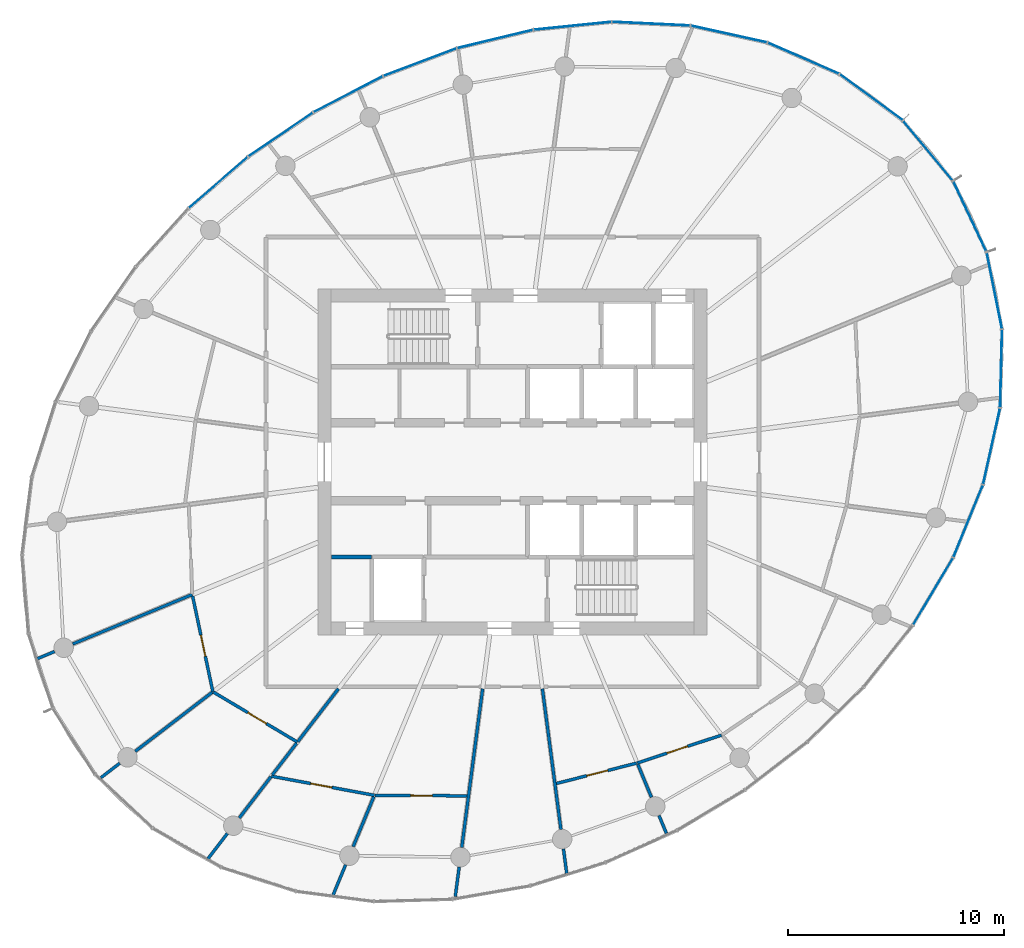
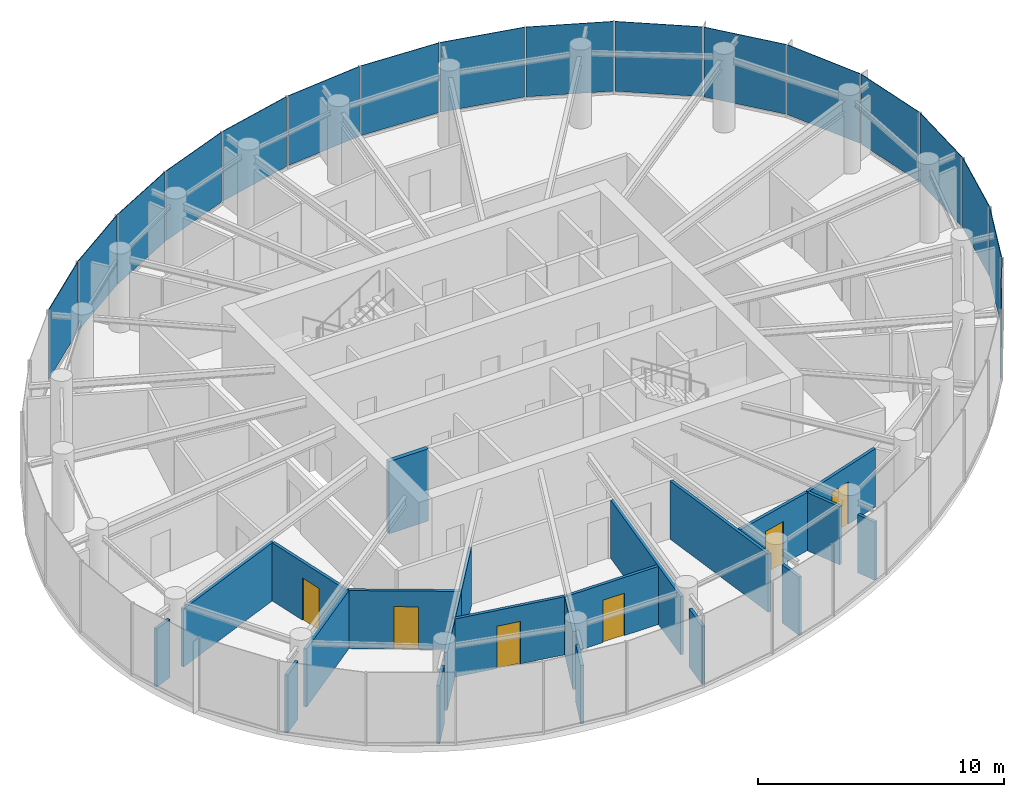
# One storey, part 9 of 15: 23 walls, 17 plates, 6 doors, 6 openings, 3 elements without a shape of their own.
"""IFC4 building model written with IfcOpenShell, lengths in metres."""

from ifc_helpers import new_model, si_unit, direction, frame, frame_2d, origin, origin_2d, place, context, subcontext, project, spatial, rectangle, extrude, source, transform, mapped, material, layer, layer_set, type_object, element, fill, aggregate, save


model = new_model("IFC4")

# Units and contexts
model_context = context("Model", 3, precision=1e-05, world=origin(), true_north=direction((0.0, 1.0)))
body_context = subcontext(model_context, "Body", "Model", "MODEL_VIEW")
ifc_project = project(units=[si_unit("LENGTHUNIT", "METRE"), si_unit("AREAUNIT", "SQUARE_METRE"), si_unit("VOLUMEUNIT", "CUBIC_METRE"), si_unit("PLANEANGLEUNIT", "RADIAN"), si_unit("MASSUNIT", "GRAM", prefix="KILO")], contexts=[model_context])

# Site, building, storey
site_placement = place(None, origin())
site = spatial("IfcSite", under=ifc_project, at=site_placement, CompositionType="ELEMENT")
building_placement = place(site_placement, origin())
building = spatial("IfcBuilding", under=site, at=building_placement, Name="Spindrift Exchange Tower", CompositionType="ELEMENT")
storey_placement = place(building_placement, frame((0.0, 0.0, 195.5)))
storey = spatial("IfcBuildingStorey", under=building, at=storey_placement, Name="L47", CompositionType="ELEMENT", Elevation=195.5)

# Curtain wall, plates
ifc_material_1 = material(Name="Fritted laminated glass with bronze frame", Category="glass")
ifc_layer_1 = layer(ifc_material_1, 0.169921875)
ifc_layer_set_1 = layer_set([ifc_layer_1], Name="ZONE 4 BRONZE FRITTED WALL")
curtain_wall_type = type_object("IfcCurtainWallType", Name="ZONE 4 BRONZE FRITTED WALL", PredefinedType="NOTDEFINED", material=ifc_layer_set_1)
curtain_wall_1_placement = place(storey_placement, origin())
curtain_wall_1 = element("IfcCurtainWall", 1, at=curtain_wall_1_placement, inside=storey, type_object=curtain_wall_type, Name="L47 Zone 4 Bronze Fritted Wall run 2", PredefinedType="NOTDEFINED")
ifc_material_2 = material(Name="Bronze fritted laminated glass, open frit", Category="glass")
ifc_layer_2 = layer(ifc_material_2, 0.030029296875)
ifc_layer_set_2 = layer_set([ifc_layer_2], Name="ZONE 4 BRONZE FRITTED WALL PANEL OPEN FRIT 600")
plate_type_1 = type_object("IfcPlateType", Name="ZONE 4 BRONZE FRITTED WALL PANEL OPEN FRIT 600", PredefinedType="CURTAIN_PANEL", material=ifc_layer_set_2)
shared_shape_1 = source(origin(), body_context, "Body", "SweptSolid", [
    extrude(rectangle(XDim=3.577392578125, YDim=0.030029296875, at=origin_2d()), origin(), (0.0, 0.0, 1.0), 3.455078125),
])
plate_1_placement = place(storey_placement, frame((51.19482421875, 67.547119140625, 0.125), z_axis=(0.0, 0.0, 1.0), x_axis=(-0.972197717403, -0.234161479063, 0.0)))
plate_1 = element("IfcPlate", 2, at=plate_1_placement, type_object=plate_type_1, Name="L47 panel CW-4.7", PredefinedType="CURTAIN_PANEL", context=body_context, shape_type="MappedRepresentation", body=[
    mapped(shared_shape_1, transform((0.0, 0.0, 0.0), scale=1.0)),
])
ifc_layer_3 = layer(ifc_material_2, 0.030029296875)
ifc_layer_set_3 = layer_set([ifc_layer_3], Name="ZONE 4 BRONZE FRITTED WALL PANEL OPEN FRIT 480")
plate_type_2 = type_object("IfcPlateType", Name="ZONE 4 BRONZE FRITTED WALL PANEL OPEN FRIT 480", PredefinedType="CURTAIN_PANEL", material=ifc_layer_set_3)
shared_shape_2 = source(origin(), body_context, "Body", "SweptSolid", [
    extrude(rectangle(XDim=3.577880859375, YDim=0.030029296875, at=origin_2d()), origin(), (0.0, 0.0, 1.0), 3.455078125),
])
plate_2_placement = place(storey_placement, frame((44.4013671875, 64.99169921875, 0.125), z_axis=(0.0, 0.0, 1.0), x_axis=(-0.886938290933, -0.461887938874, 0.0)))
plate_2 = element("IfcPlate", 3, at=plate_2_placement, type_object=plate_type_2, Name="L47 panel CW-4.9", PredefinedType="CURTAIN_PANEL", context=body_context, shape_type="MappedRepresentation", body=[
    mapped(shared_shape_2, transform((0.0, 0.0, 0.0), scale=1.0)),
])
shared_shape_3 = source(origin(), body_context, "Body", "SweptSolid", [
    extrude(rectangle(XDim=3.577880859375, YDim=0.030029296875, at=origin_2d()), origin(), (0.0, 0.0, 1.0), 3.455078125),
])
plate_3_placement = place(storey_placement, frame((41.279052734375, 63.127197265625, 0.125), z_axis=(0.0, 0.0, 1.0), x_axis=(-0.82729829875, -0.56176287247, 0.0)))
plate_3 = element("IfcPlate", 4, at=plate_3_placement, type_object=plate_type_1, Name="L47 panel CW-4.10", PredefinedType="CURTAIN_PANEL", context=body_context, shape_type="MappedRepresentation", body=[
    mapped(shared_shape_3, transform((0.0, 0.0, 0.0), scale=1.0)),
])
shared_shape_4 = source(origin(), body_context, "Body", "SweptSolid", [
    extrude(rectangle(XDim=3.57763671875, YDim=0.030029296875, at=origin_2d()), origin(), (0.0, 0.0, 1.0), 3.455078125),
])
plate_4_placement = place(storey_placement, frame((38.3955078125, 60.91162109375, 0.125), z_axis=(0.0, 0.0, 1.0), x_axis=(-0.75588775028, -0.654701236425, 0.0)))
plate_4 = element("IfcPlate", 5, at=plate_4_placement, type_object=plate_type_2, Name="L47 panel CW-4.11", PredefinedType="CURTAIN_PANEL", context=body_context, shape_type="MappedRepresentation", body=[
    mapped(shared_shape_4, transform((0.0, 0.0, 0.0), scale=1.0)),
])

# Curtain wall, plate
curtain_wall_2_placement = place(storey_placement, origin())
curtain_wall_2 = element("IfcCurtainWall", 6, at=curtain_wall_2_placement, inside=storey, type_object=curtain_wall_type, Name="L47 Zone 4 Bronze Fritted Wall run 6", PredefinedType="NOTDEFINED")
shared_shape_5 = source(origin(), body_context, "Body", "SweptSolid", [
    extrude(rectangle(XDim=3.5703125, YDim=0.030029296875, at=origin_2d()), origin(), (0.0, 0.0, 1.0), 3.455078125),
])
plate_5_placement = place(storey_placement, frame((73.149169921875, 59.342529296875, 0.125), z_axis=(0.0, 0.0, 1.0), x_axis=(-0.426707649208, 0.904389618532, 0.0)))
plate_5 = element("IfcPlate", 7, at=plate_5_placement, type_object=plate_type_1, Name="L47 panel CW-4.37", PredefinedType="CURTAIN_PANEL", context=body_context, shape_type="MappedRepresentation", body=[
    mapped(shared_shape_5, transform((0.0, 0.0, 0.0), scale=1.0)),
])

# Curtain wall, plates
curtain_wall_3_placement = place(storey_placement, origin())
curtain_wall_3 = element("IfcCurtainWall", 8, at=curtain_wall_3_placement, inside=storey, type_object=curtain_wall_type, Name="L47 Zone 4 Bronze Fritted Wall run 1", PredefinedType="NOTDEFINED")
ifc_layer_4 = layer(ifc_material_2, 0.030029296875)
ifc_layer_set_4 = layer_set([ifc_layer_4], Name="ZONE 4 BRONZE FRITTED WALL PANEL OPEN FRIT 360")
plate_type_3 = type_object("IfcPlateType", Name="ZONE 4 BRONZE FRITTED WALL PANEL OPEN FRIT 360", PredefinedType="CURTAIN_PANEL", material=ifc_layer_set_4)
shared_shape_6 = source(origin(), body_context, "Body", "SweptSolid", [
    extrude(rectangle(XDim=3.574951171875, YDim=0.030029296875, at=origin_2d()), origin(), (0.0, 0.0, 1.0), 3.455078125),
])
plate_6_placement = place(storey_placement, frame((62.002685546875, 67.776611328125, 0.125), z_axis=(0.0, 0.0, 1.0), x_axis=(-0.976534156437, 0.215362581041, 0.0)))
plate_6 = element("IfcPlate", 9, at=plate_6_placement, type_object=plate_type_3, Name="L47 panel CW-4.4", PredefinedType="CURTAIN_PANEL", context=body_context, shape_type="MappedRepresentation", body=[
    mapped(shared_shape_6, transform((0.0, 0.0, 0.0), scale=1.0)),
])
shared_shape_7 = source(origin(), body_context, "Body", "SweptSolid", [
    extrude(rectangle(XDim=3.576171875, YDim=0.030029296875, at=origin_2d()), origin(), (0.0, 0.0, 1.0), 3.455078125),
])
plate_7_placement = place(storey_placement, frame((58.406982421875, 68.255615234375, 0.125), z_axis=(0.0, 0.0, 1.0), x_axis=(-0.998856160927, 0.047815999194, 0.0)))
plate_7 = element("IfcPlate", 10, at=plate_7_placement, type_object=plate_type_1, Name="L47 panel CW-4.5", PredefinedType="CURTAIN_PANEL", context=body_context, shape_type="MappedRepresentation", body=[
    mapped(shared_shape_7, transform((0.0, 0.0, 0.0), scale=1.0)),
])

# Plate
shared_shape_8 = source(origin(), body_context, "Body", "SweptSolid", [
    extrude(rectangle(XDim=3.57763671875, YDim=0.030029296875, at=origin_2d()), origin(), (0.0, 0.0, 1.0), 3.455078125),
])
plate_8_placement = place(storey_placement, frame((47.720703125, 66.476806640625, 0.125), z_axis=(0.0, 0.0, 1.0), x_axis=(-0.935461303752, -0.353429128938, 0.0)))
plate_8 = element("IfcPlate", 11, at=plate_8_placement, type_object=plate_type_1, Name="L47 panel CW-4.8", PredefinedType="CURTAIN_PANEL", context=body_context, shape_type="MappedRepresentation", body=[
    mapped(shared_shape_8, transform((0.0, 0.0, 0.0), scale=1.0)),
])

aggregate(curtain_wall_1, [plate_1, plate_8, plate_2, plate_3, plate_4])

shared_shape_9 = source(origin(), body_context, "Body", "SweptSolid", [
    extrude(rectangle(XDim=3.576904296875, YDim=0.030029296875, at=origin_2d()), origin(), (0.0, 0.0, 1.0), 3.455078125),
])
plate_9_placement = place(storey_placement, frame((71.44580078125, 42.007080078125, 0.125), z_axis=(0.0, 0.0, 1.0), x_axis=(0.511909432756, 0.859039424389, 0.0)))
plate_9 = element("IfcPlate", 12, at=plate_9_placement, type_object=plate_type_2, Name="L47 panel CW-4.32", PredefinedType="CURTAIN_PANEL", context=body_context, shape_type="MappedRepresentation", body=[
    mapped(shared_shape_9, transform((0.0, 0.0, 0.0), scale=1.0)),
])

shared_shape_10 = source(origin(), body_context, "Body", "SweptSolid", [
    extrude(rectangle(XDim=3.5703125, YDim=0.030029296875, at=origin_2d()), origin(), (0.0, 0.0, 1.0), 3.455078125),
])
plate_10_placement = place(storey_placement, frame((71.210693359375, 62.383544921875, 0.125), z_axis=(0.0, 0.0, 1.0), x_axis=(-0.639711363915, 0.768615229408, 0.0)))
plate_10 = element("IfcPlate", 13, at=plate_10_placement, type_object=plate_type_3, Name="L47 panel CW-4.1", PredefinedType="CURTAIN_PANEL", context=body_context, shape_type="MappedRepresentation", body=[
    mapped(shared_shape_10, transform((0.0, 0.0, 0.0), scale=1.0)),
])

shared_shape_11 = source(origin(), body_context, "Body", "SweptSolid", [
    extrude(rectangle(XDim=3.571533203125, YDim=0.030029296875, at=origin_2d()), origin(), (0.0, 0.0, 1.0), 3.455078125),
])
plate_11_placement = place(storey_placement, frame((68.58154296875, 64.85546875, 0.125), z_axis=(0.0, 0.0, 1.0), x_axis=(-0.806544699623, 0.591173111289, 0.0)))
plate_11 = element("IfcPlate", 14, at=plate_11_placement, type_object=plate_type_1, Name="L47 panel CW-4.2", PredefinedType="CURTAIN_PANEL", context=body_context, shape_type="MappedRepresentation", body=[
    mapped(shared_shape_11, transform((0.0, 0.0, 0.0), scale=1.0)),
])

plate_12_placement = place(storey_placement, frame((74.280029296875, 55.91552734375, 0.125), z_axis=(0.0, 0.0, 1.0), x_axis=(-0.195401858538, 0.980723260497, 0.0)))
plate_12 = element("IfcPlate", 15, at=plate_12_placement, type_object=plate_type_1, Name="L47 panel CW-4.36", PredefinedType="CURTAIN_PANEL", context=body_context, shape_type="MappedRepresentation", body=[
    mapped(shared_shape_11, transform((0.0, 0.0, 0.0), scale=1.0)),
])

shared_shape_12 = source(origin(), body_context, "Body", "SweptSolid", [
    extrude(rectangle(XDim=3.5732421875, YDim=0.030029296875, at=origin_2d()), origin(), (0.0, 0.0, 1.0), 3.455078125),
])
plate_13_placement = place(storey_placement, frame((65.447509765625, 66.657470703125, 0.125), z_axis=(0.0, 0.0, 1.0), x_axis=(-0.916651769043, 0.399686795267, 0.0)))
plate_13 = element("IfcPlate", 16, at=plate_13_placement, type_object=plate_type_1, Name="L47 panel CW-4.3", PredefinedType="CURTAIN_PANEL", context=body_context, shape_type="MappedRepresentation", body=[
    mapped(shared_shape_12, transform((0.0, 0.0, 0.0), scale=1.0)),
])

plate_14_placement = place(storey_placement, frame((74.590576171875, 52.313720703125, 0.125), z_axis=(0.0, 0.0, 1.0), x_axis=(0.024653768199, 0.999696049664, 0.0)))
plate_14 = element("IfcPlate", 17, at=plate_14_placement, type_object=plate_type_1, Name="L47 panel CW-4.35", PredefinedType="CURTAIN_PANEL", context=body_context, shape_type="MappedRepresentation", body=[
    mapped(shared_shape_12, transform((0.0, 0.0, 0.0), scale=1.0)),
])

shared_shape_13 = source(origin(), body_context, "Body", "SweptSolid", [
    extrude(rectangle(XDim=3.576904296875, YDim=0.030029296875, at=origin_2d()), origin(), (0.0, 0.0, 1.0), 3.455078125),
])
plate_15_placement = place(storey_placement, frame((54.77685546875, 68.157958984375, 0.125), z_axis=(0.0, 0.0, 1.0), x_axis=(-0.994848027314, -0.101377524874, 0.0)))
plate_15 = element("IfcPlate", 18, at=plate_15_placement, type_object=plate_type_3, Name="L47 panel CW-4.6", PredefinedType="CURTAIN_PANEL", context=body_context, shape_type="MappedRepresentation", body=[
    mapped(shared_shape_13, transform((0.0, 0.0, 0.0), scale=1.0)),
])

aggregate(curtain_wall_3, [plate_10, plate_11, plate_13, plate_6, plate_7, plate_15])

shared_shape_14 = source(origin(), body_context, "Body", "SweptSolid", [
    extrude(rectangle(XDim=3.575927734375, YDim=0.030029296875, at=origin_2d()), origin(), (0.0, 0.0, 1.0), 3.455078125),
])
plate_16_placement = place(storey_placement, frame((73.06689453125, 45.256591796875, 0.125), z_axis=(0.0, 0.0, 1.0), x_axis=(0.37832713531, 0.925671960625, 0.0)))
plate_16 = element("IfcPlate", 19, at=plate_16_placement, type_object=plate_type_1, Name="L47 panel CW-4.33", PredefinedType="CURTAIN_PANEL", context=body_context, shape_type="MappedRepresentation", body=[
    mapped(shared_shape_14, transform((0.0, 0.0, 0.0), scale=1.0)),
])

shared_shape_15 = source(origin(), body_context, "Body", "SweptSolid", [
    extrude(rectangle(XDim=3.574951171875, YDim=0.030029296875, at=origin_2d()), origin(), (0.0, 0.0, 1.0), 3.455078125),
])
plate_17_placement = place(storey_placement, frame((74.150634765625, 48.718505859375, 0.125), z_axis=(0.0, 0.0, 1.0), x_axis=(0.217035958811, 0.976163609536, 0.0)))
plate_17 = element("IfcPlate", 20, at=plate_17_placement, type_object=plate_type_1, Name="L47 panel CW-4.34", PredefinedType="CURTAIN_PANEL", context=body_context, shape_type="MappedRepresentation", body=[
    mapped(shared_shape_15, transform((0.0, 0.0, 0.0), scale=1.0)),
])

aggregate(curtain_wall_2, [plate_9, plate_16, plate_17, plate_14, plate_12, plate_5])

# Walls
ifc_material_3 = material(Name="Fire-rated plasterboard partition", Category="gypsum")
ifc_layer_5 = layer(ifc_material_3, 0.139892578125)
ifc_layer_set_5 = layer_set([ifc_layer_5], Name="W-PART-140")
wall_type_1 = type_object("IfcWallType", Name="W-PART-140", PredefinedType="PARTITIONING", material=ifc_layer_set_5)
wall_1_placement = place(storey_placement, frame((49.65283203125, 30.17236328125, 0.0), z_axis=(0.0, 0.0, 1.0), x_axis=(0.130532164535, 0.991444075085, 0.0)))
element("IfcWall", 21, at=wall_1_placement, inside=storey, type_object=wall_type_1, Name="L47 Partition wall 33", PredefinedType="PARTITIONING", context=body_context, shape_type="SweptSolid", body=[
    extrude(rectangle(XDim=7.40087890625, YDim=0.139892578125, at=frame_2d((3.700439453125, 0.0))), origin(), (0.0, 0.0, 1.0), 2.8798828125),
])
wall_2_placement = place(storey_placement, frame((53.381103515625, 37.510009765625, 0.0), z_axis=(0.0, 0.0, 1.0), x_axis=(0.130519996386, -0.991445677051, 0.0)))
element("IfcWall", 22, at=wall_2_placement, inside=storey, type_object=wall_type_1, Name="L47 Partition wall 34", PredefinedType="PARTITIONING", context=body_context, shape_type="SweptSolid", body=[
    extrude(rectangle(XDim=6.55810546875, YDim=0.139892578125, at=frame_2d((3.279052734375, 0.0))), origin(), (0.0, 0.0, 1.0), 2.8798828125),
])
wall_3_placement = place(storey_placement, frame((37.194091796875, 41.8671875, 0.0), z_axis=(0.0, 0.0, 1.0), x_axis=(-0.923879050947, -0.382684594961, 0.0)))
element("IfcWall", 23, at=wall_3_placement, inside=storey, type_object=wall_type_1, Name="L47 Partition wall 35", PredefinedType="PARTITIONING", context=body_context, shape_type="SweptSolid", body=[
    extrude(rectangle(XDim=5.982177734375, YDim=0.139892578125, at=frame_2d((2.9912109375, 0.0))), origin(), (0.0, 0.0, 1.0), 2.8798828125),
])

# Wall, opening, door
wall_4_placement = place(storey_placement, frame((45.614501953125, 32.583740234375, 0.0), z_axis=(0.0, 0.0, 1.0), x_axis=(-0.983287014194, 0.182062208375, 0.0)))
wall_4 = element("IfcWall", 24, at=wall_4_placement, inside=storey, type_object=wall_type_1, Name="L47 Partition wall 38", PredefinedType="PARTITIONING", context=body_context, shape_type="SweptSolid", body=[
    extrude(rectangle(XDim=4.84765625, YDim=0.139892578125, at=frame_2d((2.423828125, 0.0))), origin(), (0.0, 0.0, 1.0), 2.8798828125),
])
opening_1_placement = place(wall_4_placement, frame((1.997314453125, 0.0, 0.0)))
opening_1 = element("IfcOpeningElement", 25, at=opening_1_placement, cuts=wall_4, Name="Opening L47-D27", PredefinedType="OPENING", context=body_context, shape_type="SweptSolid", body=[
    extrude(rectangle(XDim=1.0, YDim=2.10009765625, at=frame_2d((0.5, 1.050048828125))), frame((0.0, 0.079833984375, 0.0), z_axis=(0.0, -1.0, 0.0), x_axis=(1.0, 0.0, 0.0)), (0.0, 0.0, 1.0), 0.159912109375),
])
ifc_material_4 = material(Name="Timber-core fire door", Category="wood")
door_type = type_object("IfcDoorType", Name="DR-ROOM-1000", OperationType="NOTDEFINED", PredefinedType="DOOR", material=ifc_material_4)
shared_shape_16 = source(origin(), body_context, "Body", "SweptSolid", [
    extrude(rectangle(XDim=1.0, YDim=2.10009765625, at=frame_2d((0.5, 1.050048828125))), frame((0.0, 0.02490234375, 0.0), z_axis=(0.0, -1.0, 0.0), x_axis=(1.0, 0.0, 0.0)), (0.0, 0.0, 1.0), 0.050048828125),
])
door_1_placement = place(opening_1_placement, origin())
door_1 = element("IfcDoor", 26, at=door_1_placement, inside=storey, type_object=door_type, Name="L47 Door 27", OperationType="SINGLE_SWING_RIGHT", OverallHeight=2.10009765625, OverallWidth=1.0, PredefinedType="DOOR", context=body_context, shape_type="MappedRepresentation", body=[
    mapped(shared_shape_16, transform((0.0, 0.0, 0.0), scale=1.0)),
])
fill(opening_1, door_1)

wall_5_placement = place(storey_placement, frame((38.14599609375, 37.369384765625, 0.0), z_axis=(0.0, 0.0, 1.0), x_axis=(-0.207067802177, 0.978326594396, 0.0)))
wall_5 = element("IfcWall", 27, at=wall_5_placement, inside=storey, type_object=wall_type_1, Name="L47 Partition wall 39", PredefinedType="PARTITIONING", context=body_context, shape_type="SweptSolid", body=[
    extrude(rectangle(XDim=4.5263671875, YDim=0.139892578125, at=frame_2d((2.26318359375, 0.0))), origin(), (0.0, 0.0, 1.0), 2.8798828125),
])
opening_2_placement = place(wall_5_placement, frame((1.67626953125, 0.0, 0.0)))
opening_2 = element("IfcOpeningElement", 28, at=opening_2_placement, cuts=wall_5, Name="Opening L47-D23", PredefinedType="OPENING", context=body_context, shape_type="SweptSolid", body=[
    extrude(rectangle(XDim=1.0, YDim=2.10009765625, at=frame_2d((0.5, 1.050048828125))), frame((0.0, 0.079833984375, 0.0), z_axis=(0.0, -1.0, 0.0), x_axis=(1.0, 0.0, 0.0)), (0.0, 0.0, 1.0), 0.159912109375),
])
door_2_placement = place(opening_2_placement, origin())
door_2 = element("IfcDoor", 29, at=door_2_placement, inside=storey, type_object=door_type, Name="L47 Door 23", OperationType="SINGLE_SWING_RIGHT", OverallHeight=2.10009765625, OverallWidth=1.0, PredefinedType="DOOR", context=body_context, shape_type="MappedRepresentation", body=[
    mapped(shared_shape_16, transform((0.0, 0.0, 0.0), scale=1.0)),
])
fill(opening_2, door_2)

wall_6_placement = place(storey_placement, frame((42.057861328125, 35.043212890625, 0.0), z_axis=(0.0, 0.0, 1.0), x_axis=(-0.859530118144, 0.511085096635, 0.0)))
wall_6 = element("IfcWall", 30, at=wall_6_placement, inside=storey, type_object=wall_type_1, Name="L47 Partition wall 41", PredefinedType="PARTITIONING", context=body_context, shape_type="SweptSolid", body=[
    extrude(rectangle(XDim=4.521240234375, YDim=0.139892578125, at=frame_2d((2.2607421875, 0.0))), origin(), (0.0, 0.0, 1.0), 2.8798828125),
])
opening_3_placement = place(wall_6_placement, frame((1.67138671875, 0.0, 0.0)))
opening_3 = element("IfcOpeningElement", 31, at=opening_3_placement, cuts=wall_6, Name="Opening L47-D24", PredefinedType="OPENING", context=body_context, shape_type="SweptSolid", body=[
    extrude(rectangle(XDim=1.0, YDim=2.10009765625, at=frame_2d((0.5, 1.050048828125))), frame((0.0, 0.079833984375, 0.0), z_axis=(0.0, -1.0, 0.0), x_axis=(1.0, 0.0, 0.0)), (0.0, 0.0, 1.0), 0.159912109375),
])
door_3_placement = place(opening_3_placement, origin())
door_3 = element("IfcDoor", 32, at=door_3_placement, inside=storey, type_object=door_type, Name="L47 Door 24", OperationType="SINGLE_SWING_LEFT", OverallHeight=2.10009765625, OverallWidth=1.0, PredefinedType="DOOR", context=body_context, shape_type="MappedRepresentation", body=[
    mapped(shared_shape_16, transform((0.0, 0.0, 0.0), scale=1.0)),
])
fill(opening_3, door_3)

# Wall
wall_7_placement = place(storey_placement, frame((38.1220703125, 37.35107421875, 0.0), z_axis=(0.0, 0.0, 1.0), x_axis=(-0.793350839002, -0.608764688738, 0.0)))
element("IfcWall", 33, at=wall_7_placement, inside=storey, type_object=wall_type_1, Name="L47 Partition wall 42", PredefinedType="PARTITIONING", context=body_context, shape_type="SweptSolid", body=[
    extrude(rectangle(XDim=4.49169921875, YDim=0.139892578125, at=frame_2d((2.245849609375, 0.0))), origin(), (0.0, 0.0, 1.0), 2.8798828125),
])

# Wall, opening, door
wall_8_placement = place(storey_placement, frame((49.896484375, 32.5576171875, 0.0), z_axis=(0.0, 0.0, 1.0), x_axis=(-0.999981480768, 0.006085895215, 0.0)))
wall_8 = element("IfcWall", 34, at=wall_8_placement, inside=storey, type_object=wall_type_1, Name="L47 Partition wall 44", PredefinedType="PARTITIONING", context=body_context, shape_type="SweptSolid", body=[
    extrude(rectangle(XDim=4.252197265625, YDim=0.139892578125, at=frame_2d((2.1259765625, 0.0))), origin(), (0.0, 0.0, 1.0), 2.8798828125),
])
opening_4_placement = place(wall_8_placement, frame((1.60205078125, 0.0, 0.0)))
opening_4 = element("IfcOpeningElement", 35, at=opening_4_placement, cuts=wall_8, Name="Opening L47-D28", PredefinedType="OPENING", context=body_context, shape_type="SweptSolid", body=[
    extrude(rectangle(XDim=1.0, YDim=2.10009765625, at=frame_2d((0.5, 1.050048828125))), frame((0.0, 0.079833984375, 0.0), z_axis=(0.0, -1.0, 0.0), x_axis=(1.0, 0.0, 0.0)), (0.0, 0.0, 1.0), 0.159912109375),
])
door_4_placement = place(opening_4_placement, origin())
door_4 = element("IfcDoor", 36, at=door_4_placement, inside=storey, type_object=door_type, Name="L47 Door 28", OperationType="SINGLE_SWING_LEFT", OverallHeight=2.10009765625, OverallWidth=1.0, PredefinedType="DOOR", context=body_context, shape_type="MappedRepresentation", body=[
    mapped(shared_shape_16, transform((0.0, 0.0, 0.0), scale=1.0)),
])
fill(opening_4, door_4)

wall_9_placement = place(storey_placement, frame((61.6591796875, 35.365234375, 0.0), z_axis=(0.0, 0.0, 1.0), x_axis=(-0.949342227839, -0.314244068267, 0.0)))
wall_9 = element("IfcWall", 37, at=wall_9_placement, inside=storey, type_object=wall_type_1, Name="L47 Partition wall 49", PredefinedType="PARTITIONING", context=body_context, shape_type="SweptSolid", body=[
    extrude(rectangle(XDim=4.099853515625, YDim=0.139892578125, at=frame_2d((2.0498046875, 0.0))), origin(), (0.0, 0.0, 1.0), 2.8798828125),
])
opening_5_placement = place(wall_9_placement, frame((1.64990234375, 0.0, 0.0)))
opening_5 = element("IfcOpeningElement", 38, at=opening_5_placement, cuts=wall_9, Name="Opening L47-D32", PredefinedType="OPENING", context=body_context, shape_type="SweptSolid", body=[
    extrude(rectangle(XDim=1.0, YDim=2.10009765625, at=frame_2d((0.5, 1.050048828125))), frame((0.0, 0.079833984375, 0.0), z_axis=(0.0, -1.0, 0.0), x_axis=(1.0, 0.0, 0.0)), (0.0, 0.0, 1.0), 0.159912109375),
])
door_5_placement = place(opening_5_placement, origin())
door_5 = element("IfcDoor", 39, at=door_5_placement, inside=storey, type_object=door_type, Name="L47 Door 32", OperationType="SINGLE_SWING_LEFT", OverallHeight=2.10009765625, OverallWidth=1.0, PredefinedType="DOOR", context=body_context, shape_type="MappedRepresentation", body=[
    mapped(shared_shape_16, transform((0.0, 0.0, 0.0), scale=1.0)),
])
fill(opening_5, door_5)

wall_10_placement = place(storey_placement, frame((57.738037109375, 34.069580078125, 0.0), z_axis=(0.0, 0.0, 1.0), x_axis=(-0.969463236933, -0.245236686152, 0.0)))
wall_10 = element("IfcWall", 40, at=wall_10_placement, inside=storey, type_object=wall_type_1, Name="L47 Partition wall 54", PredefinedType="PARTITIONING", context=body_context, shape_type="SweptSolid", body=[
    extrude(rectangle(XDim=3.826904296875, YDim=0.139892578125, at=frame_2d((1.91357421875, 0.0))), origin(), (0.0, 0.0, 1.0), 2.8798828125),
])
opening_6_placement = place(wall_10_placement, frame((1.376708984375, 0.0, 0.0)))
opening_6 = element("IfcOpeningElement", 41, at=opening_6_placement, cuts=wall_10, Name="Opening L47-D31", PredefinedType="OPENING", context=body_context, shape_type="SweptSolid", body=[
    extrude(rectangle(XDim=1.0, YDim=2.10009765625, at=frame_2d((0.5, 1.050048828125))), frame((0.0, 0.079833984375, 0.0), z_axis=(0.0, -1.0, 0.0), x_axis=(1.0, 0.0, 0.0)), (0.0, 0.0, 1.0), 0.159912109375),
])
door_6_placement = place(opening_6_placement, origin())
door_6 = element("IfcDoor", 42, at=door_6_placement, inside=storey, type_object=door_type, Name="L47 Door 31", OperationType="SINGLE_SWING_RIGHT", OverallHeight=2.10009765625, OverallWidth=1.0, PredefinedType="DOOR", context=body_context, shape_type="MappedRepresentation", body=[
    mapped(shared_shape_16, transform((0.0, 0.0, 0.0), scale=1.0)),
])
fill(opening_6, door_6)

# Walls
wall_11_placement = place(storey_placement, frame((43.95068359375, 37.510009765625, 0.0), z_axis=(0.0, 0.0, 1.0), x_axis=(-0.608729433535, -0.793377890256, 0.0)))
element("IfcWall", 43, at=wall_11_placement, inside=storey, type_object=wall_type_1, Name="L47 Partition wall 63", PredefinedType="PARTITIONING", context=body_context, shape_type="SweptSolid", body=[
    extrude(rectangle(XDim=3.079345703125, YDim=0.139892578125, at=frame_2d((1.53955078125, 0.0))), origin(), (0.0, 0.0, 1.0), 2.8798828125),
])
wall_12_placement = place(storey_placement, frame((45.5869140625, 32.517578125, 0.0), z_axis=(0.0, 0.0, 1.0), x_axis=(-0.382691448247, -0.923876212184, 0.0)))
element("IfcWall", 44, at=wall_12_placement, inside=storey, type_object=wall_type_1, Name="L47 Partition wall 65", PredefinedType="PARTITIONING", context=body_context, shape_type="SweptSolid", body=[
    extrude(rectangle(XDim=2.4970703125, YDim=0.139892578125, at=frame_2d((1.24853515625, 0.0))), origin(), (0.0, 0.0, 1.0), 2.8798828125),
])
wall_13_placement = place(storey_placement, frame((40.829833984375, 33.442626953125, 0.0), z_axis=(0.0, 0.0, 1.0), x_axis=(-0.608796464689, -0.793326455239, 0.0)))
element("IfcWall", 45, at=wall_13_placement, inside=storey, type_object=wall_type_1, Name="L47 Partition wall 68", PredefinedType="PARTITIONING", context=body_context, shape_type="SweptSolid", body=[
    extrude(rectangle(XDim=2.4013671875, YDim=0.139892578125, at=frame_2d((1.20068359375, 0.0))), origin(), (0.0, 0.0, 1.0), 2.8798828125),
])
wall_14_placement = place(storey_placement, frame((42.014892578125, 34.9873046875, 0.0), z_axis=(0.0, 0.0, 1.0), x_axis=(-0.608760473936, -0.793354073144, 0.0)))
element("IfcWall", 46, at=wall_14_placement, inside=storey, type_object=wall_type_1, Name="L47 Partition wall 73", PredefinedType="PARTITIONING", context=body_context, shape_type="SweptSolid", body=[
    extrude(rectangle(XDim=1.83837890625, YDim=0.139892578125, at=frame_2d((0.919189453125, 0.0))), origin(), (0.0, 0.0, 1.0), 2.8798828125),
])
wall_15_placement = place(storey_placement, frame((57.7939453125, 34.01220703125, 0.0), z_axis=(0.0, 0.0, 1.0), x_axis=(0.382648241093, -0.923894108428, 0.0)))
element("IfcWall", 47, at=wall_15_placement, inside=storey, type_object=wall_type_1, Name="L47 Partition wall 74", PredefinedType="PARTITIONING", context=body_context, shape_type="SweptSolid", body=[
    extrude(rectangle(XDim=1.648681640625, YDim=0.139892578125, at=frame_2d((0.82421875, 0.0))), origin(), (0.0, 0.0, 1.0), 2.8798828125),
])
wall_16_placement = place(storey_placement, frame((44.283203125, 29.369873046875, 0.0), z_axis=(0.0, 0.0, 1.0), x_axis=(-0.382783039517, -0.923838267587, 0.0)))
element("IfcWall", 48, at=wall_16_placement, inside=storey, type_object=wall_type_1, Name="L47 Partition wall 76", PredefinedType="PARTITIONING", context=body_context, shape_type="SweptSolid", body=[
    extrude(rectangle(XDim=1.533203125, YDim=0.139892578125, at=frame_2d((0.7666015625, 0.0))), origin(), (0.0, 0.0, 1.0), 2.8798828125),
])
wall_17_placement = place(storey_placement, frame((38.814453125, 30.81640625, 0.0), z_axis=(0.0, 0.0, 1.0), x_axis=(-0.608738517345, -0.793370920504, 0.0)))
element("IfcWall", 49, at=wall_17_placement, inside=storey, type_object=wall_type_1, Name="L47 Partition wall 77", PredefinedType="PARTITIONING", context=body_context, shape_type="SweptSolid", body=[
    extrude(rectangle(XDim=1.468994140625, YDim=0.139892578125, at=frame_2d((0.734375, 0.0))), origin(), (0.0, 0.0, 1.0), 2.8798828125),
])
wall_18_placement = place(storey_placement, frame((49.5341796875, 29.27099609375, 0.0), z_axis=(0.0, 0.0, 1.0), x_axis=(-0.130495678972, -0.991448878041, 0.0)))
element("IfcWall", 50, at=wall_18_placement, inside=storey, type_object=wall_type_1, Name="L47 Partition wall 79", PredefinedType="PARTITIONING", context=body_context, shape_type="SweptSolid", body=[
    extrude(rectangle(XDim=1.380615234375, YDim=0.139892578125, at=frame_2d((0.6904296875, 0.0))), origin(), (0.0, 0.0, 1.0), 2.8798828125),
])
wall_19_placement = place(storey_placement, frame((54.355712890625, 30.10693359375, 0.0), z_axis=(0.0, 0.0, 1.0), x_axis=(0.130415862512, -0.99145938031, 0.0)))
element("IfcWall", 51, at=wall_19_placement, inside=storey, type_object=wall_type_1, Name="L47 Partition wall 81", PredefinedType="PARTITIONING", context=body_context, shape_type="SweptSolid", body=[
    extrude(rectangle(XDim=1.143798828125, YDim=0.139892578125, at=frame_2d((0.57177734375, 0.0))), origin(), (0.0, 0.0, 1.0), 2.8798828125),
])
wall_20_placement = place(storey_placement, frame((33.83740234375, 34.063232421875, 0.0), z_axis=(0.0, 0.0, 1.0), x_axis=(-0.793412180781, -0.608684738915, 0.0)))
element("IfcWall", 52, at=wall_20_placement, inside=storey, type_object=wall_type_1, Name="L47 Partition wall 83", PredefinedType="PARTITIONING", context=body_context, shape_type="SweptSolid", body=[
    extrude(rectangle(XDim=1.093017578125, YDim=0.139892578125, at=frame_2d((0.54638671875, 0.0))), origin(), (0.0, 0.0, 1.0), 2.8798828125),
])
wall_21_placement = place(storey_placement, frame((58.773193359375, 31.648193359375, 0.0), z_axis=(0.0, 0.0, 1.0), x_axis=(0.382609993492, -0.923909948469, 0.0)))
element("IfcWall", 53, at=wall_21_placement, inside=storey, type_object=wall_type_1, Name="L47 Partition wall 90", PredefinedType="PARTITIONING", context=body_context, shape_type="SweptSolid", body=[
    extrude(rectangle(XDim=0.890869140625, YDim=0.139892578125, at=frame_2d((0.4453125, 0.0))), origin(), (0.0, 0.0, 1.0), 2.8798828125),
])
wall_22_placement = place(storey_placement, frame((30.826416015625, 39.229736328125, 0.0), z_axis=(0.0, 0.0, 1.0), x_axis=(-0.923828017367, -0.382807777256, 0.0)))
element("IfcWall", 54, at=wall_22_placement, inside=storey, type_object=wall_type_1, Name="L47 Partition wall 91", PredefinedType="PARTITIONING", context=body_context, shape_type="SweptSolid", body=[
    extrude(rectangle(XDim=0.882568359375, YDim=0.139892578125, at=frame_2d((0.44140625, 0.0))), origin(), (0.0, 0.0, 1.0), 2.8798828125),
])
ifc_material_5 = material(Name="Concrete 40 MPa", Category="concrete")
ifc_layer_6 = layer(ifc_material_5, 0.199951171875)
ifc_layer_set_6 = layer_set([ifc_layer_6], Name="W-SHAFT-200")
wall_type_2 = type_object("IfcWallType", Name="W-SHAFT-200", PredefinedType="SOLIDWALL", material=ifc_layer_set_6)
wall_23_placement = place(storey_placement, frame((45.469970703125, 43.60009765625, 0.0), z_axis=(0.0, 0.0, 1.0), x_axis=(-1.0, 0.0, 0.0)))
element("IfcWall", 55, at=wall_23_placement, inside=storey, type_object=wall_type_2, Name="L47 Shaft wall 20", PredefinedType="SOLIDWALL", context=body_context, shape_type="SweptSolid", body=[
    extrude(rectangle(XDim=1.849853515625, YDim=0.199951171875, at=frame_2d((0.9248046875, 0.0))), origin(), (0.0, 0.0, 1.0), 3.580078125),
])

save(model, "model.ifc")
